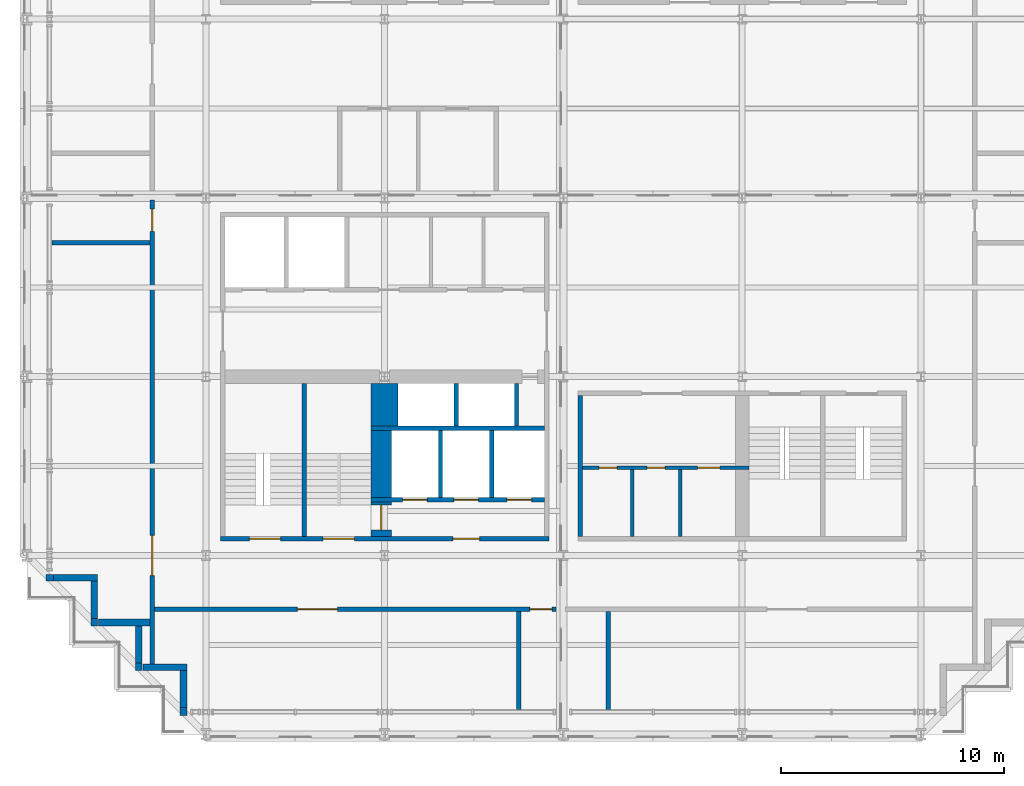
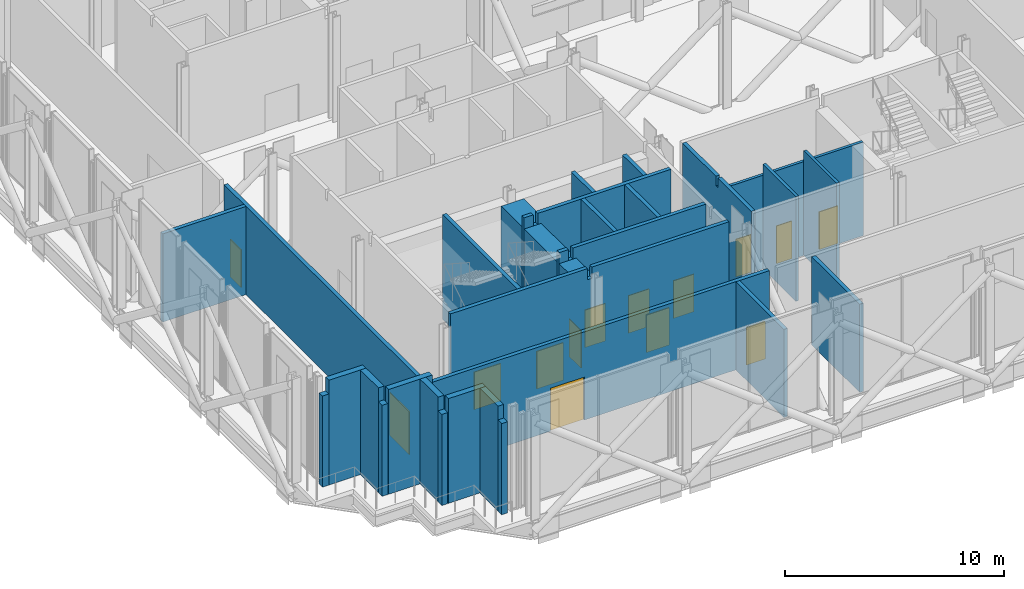
# One storey, part 17 of 25: 30 walls, 14 doors, 14 openings.
"""IFC4 building model written with IfcOpenShell, lengths in metres."""

import ifcopenshell
import ifcopenshell.guid

model = None  # the IFC model being written
_history = None  # IfcOwnerHistory: only IFC2X3 demands one
_inside = {}  # id of a spatial element -> (the spatial element, [elements in it])
_under = {}  # id of a project, library or spatial element -> (it, [spatial elements below it])
_declared = {}  # id of a project -> (the project, [libraries it declares])
_typed = {}  # id of a type object -> (the type object, [elements of that type])
_made_of = {}  # id of a material, layer set ... -> (it, [elements and type objects made of it])


def new_model(schema):
    """Start an empty IFC model of exactly this schema.

    Asked for "IFC4X3", IfcOpenShell would pick the latest addendum, in which some entities
    have other attributes; the version numbers below select the first issue.
    IFC2X3 requires an IfcOwnerHistory on every rooted entity: one is made here for all.
    """
    global model, _history
    if schema == "IFC4X3":
        model = ifcopenshell.file(schema_version=(4, 3, 0, 0))
    else:
        model = ifcopenshell.file(schema=schema)
    _inside.clear()
    _under.clear()
    _declared.clear()
    _typed.clear()
    _made_of.clear()
    _history = None
    if model.schema == "IFC2X3":
        org = make("IfcOrganization", Name="unknown")
        user = make(
            "IfcPersonAndOrganization",
            ThePerson=make("IfcPerson", FamilyName="unknown"),
            TheOrganization=org,
        )
        app = make(
            "IfcApplication",
            ApplicationDeveloper=org,
            Version="unknown",
            ApplicationFullName="unknown",
            ApplicationIdentifier="unknown",
        )
        _history = make(
            "IfcOwnerHistory",
            OwningUser=user,
            OwningApplication=app,
            ChangeAction="ADDED",
            CreationDate=0,
        )
    return model


def make(cls, **values):
    """One entity of the class cls with the attributes given. An attribute that is None is left unset."""
    return model.create_entity(
        cls, **{name: value for name, value in values.items() if value is not None}
    )


def rooted(cls, **values):
    """An entity with a GlobalId (a new one), such as an element, a storey or a relation."""
    return make(cls, GlobalId=ifcopenshell.guid.new(), OwnerHistory=_history, **values)


def si_unit(unit_type, name, prefix=None):
    """IfcSIUnit, for example si_unit("LENGTHUNIT", "METRE", prefix="MILLI")."""
    return make("IfcSIUnit", UnitType=unit_type, Prefix=prefix, Name=name)


def assignment(units):
    """IfcUnitAssignment: the units of a project."""
    return None if units is None else make("IfcUnitAssignment", Units=units)


def point(xyz):
    """IfcCartesianPoint."""
    return None if xyz is None else make("IfcCartesianPoint", Coordinates=xyz)


def direction(xyz):
    """IfcDirection."""
    return None if xyz is None else make("IfcDirection", DirectionRatios=xyz)


def frame(location, z_axis=None, x_axis=None):
    """IfcAxis2Placement3D, a coordinate frame: its origin and axes. An axis left out is left unset."""
    return make(
        "IfcAxis2Placement3D",
        Location=point(location),
        Axis=direction(z_axis),
        RefDirection=direction(x_axis),
    )


def frame_2d(location, x_axis=None):
    """IfcAxis2Placement2D, a coordinate frame in the plane: its origin and x axis."""
    return make(
        "IfcAxis2Placement2D", Location=point(location), RefDirection=direction(x_axis)
    )


def origin():
    """The frame at (0, 0, 0) with its axes left unset."""
    return frame((0.0, 0.0, 0.0))


def place(relative_to, where):
    """IfcLocalPlacement: puts the frame where relative to a parent placement (None: the world)."""
    return make(
        "IfcLocalPlacement", PlacementRelTo=relative_to, RelativePlacement=where
    )


def context(
    kind, dimensions, precision=None, world=None, true_north=None, identifier=None
):
    """IfcGeometricRepresentationContext, for example the 3D "Model" context."""
    return make(
        "IfcGeometricRepresentationContext",
        ContextIdentifier=identifier,
        ContextType=kind,
        CoordinateSpaceDimension=dimensions,
        Precision=precision,
        WorldCoordinateSystem=world,
        TrueNorth=true_north,
    )


def subcontext(parent, identifier, kind, view, scale=None):
    """IfcGeometricRepresentationSubContext, for example "Body" below "Model"."""
    return make(
        "IfcGeometricRepresentationSubContext",
        ContextIdentifier=identifier,
        ContextType=kind,
        ParentContext=parent,
        TargetScale=scale,
        TargetView=view,
    )


def project(units=None, contexts=None):
    """IfcProject with its units and contexts."""
    return rooted(
        "IfcProject",
        Name="project",
        RepresentationContexts=contexts,
        UnitsInContext=assignment(units),
    )


def spatial(cls, under=None, at=None, **own):
    """A site, building, storey or space (cls), placed at a placement, below another one or the project."""
    s = rooted(cls, ObjectPlacement=at, **own)
    if under is not None:
        _under.setdefault(under.id(), (under, []))[1].append(s)
    return s


def polyline(points):
    """IfcPolyline through the points."""
    return make("IfcPolyline", Points=[point(p) for p in points])


def profile(cls, at=None, kind="AREA", **sizes):
    """A parametric profile (cls). Its sizes go by their IFC names, for example OverallWidth=200.0."""
    return make(cls, ProfileType=kind, Position=at, **sizes)


def rectangle(**sizes):
    """IfcRectangleProfileDef."""
    return profile("IfcRectangleProfileDef", **sizes)


def outline(outer, holes=None, kind="AREA"):
    """IfcArbitraryClosedProfileDef: a profile drawn as a closed curve; with holes, ...WithVoids."""
    if holes is None:
        return make("IfcArbitraryClosedProfileDef", ProfileType=kind, OuterCurve=outer)
    return make(
        "IfcArbitraryProfileDefWithVoids",
        ProfileType=kind,
        OuterCurve=outer,
        InnerCurves=holes,
    )


def extrude(swept, where, along, depth):
    """IfcExtrudedAreaSolid: the profile swept, set in the frame where, extruded along a direction by depth."""
    return make(
        "IfcExtrudedAreaSolid",
        SweptArea=swept,
        Position=where,
        ExtrudedDirection=direction(along),
        Depth=depth,
    )


def shape(context_of_items, identifier, shape_type, items):
    """IfcShapeRepresentation: the items that make up one representation, for example the "Body"."""
    return make(
        "IfcShapeRepresentation",
        ContextOfItems=context_of_items,
        RepresentationIdentifier=identifier,
        RepresentationType=shape_type,
        Items=items,
    )


def material(Name=None, Category=None):
    """IfcMaterial."""
    return make("IfcMaterial", Name=Name, Category=Category)


def layer(
    of_material, thickness, ventilated=None, Name=None, Category=None, Priority=None
):
    """IfcMaterialLayer: one layer of a wall or slab, of a material (None: an air gap)."""
    return make(
        "IfcMaterialLayer",
        Material=of_material,
        LayerThickness=thickness,
        IsVentilated=ventilated,
        Name=Name,
        Category=Category,
        Priority=Priority,
    )


def layer_set(layers, Name=None):
    """IfcMaterialLayerSet."""
    return make("IfcMaterialLayerSet", MaterialLayers=layers, LayerSetName=Name)


def made_of(thing, what):
    """Note that an element or type object is made of a material, layer set ...; save() writes the relation."""
    if what is not None:
        _made_of.setdefault(what.id(), (what, []))[1].append(thing)
    return thing


def type_object(cls, material=None, **own):
    """A type object (cls), such as IfcWallType, which elements share."""
    return made_of(rooted(cls, **own), material)


def element(
    cls,
    number,
    at=None,
    inside=None,
    cuts=None,
    type_object=None,
    material=None,
    context=None,
    identifier="Body",
    shape_type=None,
    held_by="IfcProductDefinitionShape",
    body=None,
    shapes=None,
    **own,
):
    """One element of the class cls, such as IfcWall. Its Tag is "e" and its number.

    at: its placement. inside: the storey or other place that contains it. cuts: it is an
    opening in that element (IfcRelVoidsElement). A single representation is given by context,
    identifier, shape_type and body (its items); several are given by shapes. held_by: the class
    of the entity that holds the representations. save() writes the other relations.
    """
    e = rooted(cls, Tag="e%d" % number, ObjectPlacement=at, **own)
    if body is not None:
        shapes = [shape(context, identifier, shape_type, body)]
    if shapes is not None:
        e.Representation = make(held_by, Representations=shapes)
    if inside is not None:
        _inside.setdefault(inside.id(), (inside, []))[1].append(e)
    if cuts is not None:
        rooted(
            "IfcRelVoidsElement", RelatingBuildingElement=cuts, RelatedOpeningElement=e
        )
    if type_object is not None:
        _typed.setdefault(type_object.id(), (type_object, []))[1].append(e)
    return made_of(e, material)


def fill(opening, filler):
    """IfcRelFillsElement: the door or window that sits in an opening."""
    return rooted(
        "IfcRelFillsElement",
        RelatingOpeningElement=opening,
        RelatedBuildingElement=filler,
    )


def aggregate(whole, parts):
    """IfcRelAggregates: a whole, such as a stair, and the parts it consists of."""
    return rooted("IfcRelAggregates", RelatingObject=whole, RelatedObjects=parts)


def save(model, path):
    """Write the relations noted so far, then the file.

    IfcRelAggregates (storeys below a building ...), IfcRelContainedInSpatialStructure (elements
    in a storey), IfcRelDefinesByType, IfcRelAssociatesMaterial and IfcRelDeclares: one each for
    every whole, place, type object, material and project.
    """
    for whole, parts in _under.values():
        aggregate(whole, parts)
    for where, things in _inside.values():
        rooted(
            "IfcRelContainedInSpatialStructure",
            RelatedElements=things,
            RelatingStructure=where,
        )
    for kind, things in _typed.values():
        rooted("IfcRelDefinesByType", RelatedObjects=things, RelatingType=kind)
    for what, things in _made_of.values():
        rooted("IfcRelAssociatesMaterial", RelatedObjects=things, RelatingMaterial=what)
    for by, libraries in _declared.values():
        rooted("IfcRelDeclares", RelatingContext=by, RelatedDefinitions=libraries)
    model.write(path)


model = new_model("IFC4")

# Units and contexts
model_context = context("Model", 3, precision=1e-05, world=origin(), true_north=direction((0.0, 1.0)))
body_context = subcontext(model_context, "Body", "Model", "MODEL_VIEW")
ifc_project = project(units=[si_unit("LENGTHUNIT", "METRE"), si_unit("AREAUNIT", "SQUARE_METRE"), si_unit("VOLUMEUNIT", "CUBIC_METRE"), si_unit("PLANEANGLEUNIT", "RADIAN"), si_unit("MASSUNIT", "GRAM", prefix="KILO")], contexts=[model_context])

# Site, building, storey
site_placement = place(None, origin())
site = spatial("IfcSite", under=ifc_project, at=site_placement, CompositionType="ELEMENT")
building_placement = place(site_placement, origin())
building = spatial("IfcBuilding", under=site, at=building_placement, Name="Immortelle Media Tower", CompositionType="ELEMENT")
storey_placement = place(building_placement, frame((0.0, 0.0, 114.0)))
storey = spatial("IfcBuildingStorey", under=building, at=storey_placement, Name="L22", CompositionType="ELEMENT", Elevation=114.0)

# Wall, openings, doors
ifc_material_1 = material(Name="Fire-rated gypsum board", Category="gypsum")
ifc_layer_1 = layer(ifc_material_1, 0.02490234375)
ifc_material_2 = material(Name="Steel ASTM A653 SS Gr 50 stud frame with mineral wool", Category="steel")
ifc_layer_2 = layer(ifc_material_2, 0.10009765625)
ifc_layer_3 = layer(ifc_material_1, 0.02490234375)
ifc_layer_set_1 = layer_set([ifc_layer_1, ifc_layer_2, ifc_layer_3], Name="Steel ASTM A653 SS Gr 50 stud frame with mineral wool")
wall_type_1 = type_object("IfcWallType", Name="Core partition 150", PredefinedType="PARTITIONING", material=ifc_layer_set_1)
wall_1_placement = place(storey_placement, frame((24.85009765625, 11.925048828125, 0.0), z_axis=(0.0, 0.0, 1.0), x_axis=(1.0, 0.0, 0.0)))
wall_1 = element("IfcWall", 1, at=wall_1_placement, inside=storey, type_object=wall_type_1, Name="Core partition SE", PredefinedType="PARTITIONING", context=body_context, shape_type="SweptSolid", body=[
    extrude(rectangle(XDim=7.449951171875, YDim=0.14990234375, at=frame_2d((3.72509765625, 0.0))), origin(), (0.0, 0.0, 1.0), 5.23193359375),
])
opening_1_placement = place(wall_1_placement, frame((1.550048828125, 0.0, 0.0), z_axis=(0.0, 0.0, 1.0), x_axis=(-1.0, 0.0, 0.0)))
opening_1 = element("IfcOpeningElement", 2, at=opening_1_placement, cuts=wall_1, Name="Opening L22-K016", PredefinedType="OPENING", context=body_context, shape_type="SweptSolid", body=[
    extrude(rectangle(XDim=0.800048828125, YDim=2.10009765625, at=frame_2d((0.39990234375, 1.050048828125))), frame((0.0, 0.0849609375, 0.0), z_axis=(0.0, -1.0, 0.0), x_axis=(1.0, 0.0, 0.0)), (0.0, 0.0, 1.0), 0.169921875),
])
opening_2_placement = place(wall_1_placement, frame((3.699951171875, 0.0, 0.0), z_axis=(0.0, 0.0, 1.0), x_axis=(-1.0, 0.0, 0.0)))
opening_2 = element("IfcOpeningElement", 3, at=opening_2_placement, cuts=wall_1, Name="Opening L22-K017", PredefinedType="OPENING", context=body_context, shape_type="SweptSolid", body=[
    extrude(rectangle(XDim=0.800048828125, YDim=2.10009765625, at=frame_2d((0.39990234375, 1.050048828125))), frame((0.0, 0.0849609375, 0.0), z_axis=(0.0, -1.0, 0.0), x_axis=(1.0, 0.0, 0.0)), (0.0, 0.0, 1.0), 0.169921875),
])
opening_3_placement = place(wall_1_placement, frame((6.14990234375, 0.0, 0.0), z_axis=(0.0, 0.0, 1.0), x_axis=(-1.0, 0.0, 0.0)))
opening_3 = element("IfcOpeningElement", 4, at=opening_3_placement, cuts=wall_1, Name="Opening L22-K019", PredefinedType="OPENING", context=body_context, shape_type="SweptSolid", body=[
    extrude(rectangle(XDim=1.0, YDim=2.10009765625, at=frame_2d((0.5, 1.050048828125))), frame((0.0, 0.0849609375, 0.0), z_axis=(0.0, -1.0, 0.0), x_axis=(1.0, 0.0, 0.0)), (0.0, 0.0, 1.0), 0.169921875),
])
ifc_material_3 = material(Name="Timber", Category="wood")
door_type_1 = type_object("IfcDoorType", Name="Accessible toilet door 1000 x 2100", OperationType="NOTDEFINED", PredefinedType="NOTDEFINED", material=ifc_material_3)
door_1_placement = place(opening_3_placement, origin())
door_1 = element("IfcDoor", 5, at=door_1_placement, inside=storey, type_object=door_type_1, Name="Accessible toilet L22-K019", OperationType="SINGLE_SWING_RIGHT", OverallHeight=2.10009765625, OverallWidth=1.0, PredefinedType="NOTDEFINED", context=body_context, shape_type="SweptSolid", body=[
    extrude(rectangle(XDim=1.0, YDim=2.10009765625, at=frame_2d((0.5, 1.050048828125))), frame((0.0, 0.02490234375, 0.0), z_axis=(0.0, -1.0, 0.0), x_axis=(1.0, 0.0, 0.0)), (0.0, 0.0, 1.0), 0.050048828125),
])
fill(opening_3, door_1)
door_type_2 = type_object("IfcDoorType", Name="Toilet door 800 x 2100", OperationType="NOTDEFINED", PredefinedType="NOTDEFINED", material=ifc_material_3)
door_2_placement = place(opening_1_placement, origin())
door_2 = element("IfcDoor", 6, at=door_2_placement, inside=storey, type_object=door_type_2, Name="Toilet L22-K016", OperationType="SINGLE_SWING_LEFT", OverallHeight=2.10009765625, OverallWidth=0.800048828125, PredefinedType="NOTDEFINED", context=body_context, shape_type="SweptSolid", body=[
    extrude(rectangle(XDim=0.800048828125, YDim=2.10009765625, at=frame_2d((0.39990234375, 1.050048828125))), frame((0.0, 0.02490234375, 0.0), z_axis=(0.0, -1.0, 0.0), x_axis=(1.0, 0.0, 0.0)), (0.0, 0.0, 1.0), 0.050048828125),
])
fill(opening_1, door_2)
door_3_placement = place(opening_2_placement, origin())
door_3 = element("IfcDoor", 7, at=door_3_placement, inside=storey, type_object=door_type_2, Name="Toilet L22-K017", OperationType="SINGLE_SWING_LEFT", OverallHeight=2.10009765625, OverallWidth=0.800048828125, PredefinedType="NOTDEFINED", context=body_context, shape_type="SweptSolid", body=[
    extrude(rectangle(XDim=0.800048828125, YDim=2.10009765625, at=frame_2d((0.39990234375, 1.050048828125))), frame((0.0, 0.02490234375, 0.0), z_axis=(0.0, -1.0, 0.0), x_axis=(1.0, 0.0, 0.0)), (0.0, 0.0, 1.0), 0.050048828125),
])
fill(opening_2, door_3)

# Walls
for number, where, z_axis, x_axis, name in (
    (8, (27.074951171875, 8.85009765625, 0.0), (0.0, 0.0, 1.0), (0.0, 1.0, 0.0), "Core partition SE"),
    (9, (29.22509765625, 8.85009765625, 0.0), (0.0, 0.0, 1.0), (0.0, 1.0, 0.0), "Core partition SE"),
):
    element("IfcWall", number, at=place(storey_placement, frame(where, z_axis=z_axis, x_axis=x_axis)), inside=storey, type_object=wall_type_1, Name=name, PredefinedType="PARTITIONING", context=body_context, shape_type="SweptSolid", body=[
        extrude(rectangle(XDim=3.0, YDim=0.14990234375, at=frame_2d((1.5, 0.0))), origin(), (0.0, 0.0, 1.0), 5.85009765625),
    ])

# Wall, openings, doors
ifc_layer_4 = layer(ifc_material_1, 0.03759765625)
ifc_layer_5 = layer(ifc_material_2, 0.125)
ifc_layer_6 = layer(ifc_material_1, 0.03759765625)
ifc_layer_set_2 = layer_set([ifc_layer_4, ifc_layer_5, ifc_layer_6], Name="Steel ASTM A653 SS Gr 50 stud frame with mineral wool")
wall_type_2 = type_object("IfcWallType", Name="Core shaft wall 200", PredefinedType="PARTITIONING", material=ifc_layer_set_2)
wall_2_placement = place(storey_placement, frame((15.39990234375, 10.5, 0.0), z_axis=(0.0, 0.0, 1.0), x_axis=(1.0, 0.0, 0.0)))
wall_2 = element("IfcWall", 10, at=wall_2_placement, inside=storey, type_object=wall_type_2, Name="Core shaft wall SW", PredefinedType="PARTITIONING", context=body_context, shape_type="SweptSolid", body=[
    extrude(outline(polyline([(0.0, 0.0), (7.75, 0.0), (7.75, 5.85009765625), (0.719482421875, 5.85009765625), (0.718505859375, 5.23193359375), (0.4814453125, 5.23193359375), (0.48046875, 5.85009765625), (0.0, 5.85009765625), (0.0, 0.0)])), frame((0.0, 0.10009765625, 0.0), z_axis=(0.0, -1.0, 0.0), x_axis=(1.0, 0.0, 0.0)), (0.0, 0.0, 1.0), 0.199951171875),
])
opening_4_placement = place(wall_2_placement, frame((1.39990234375, 0.0, 0.0)))
opening_4 = element("IfcOpeningElement", 11, at=opening_4_placement, cuts=wall_2, Name="Opening LD", PredefinedType="OPENING", context=body_context, shape_type="SweptSolid", body=[
    extrude(rectangle(XDim=1.10009765625, YDim=2.10009765625, at=frame_2d((0.550048828125, 1.050048828125))), frame((0.0, 0.10986328125, 0.0), z_axis=(0.0, -1.0, 0.0), x_axis=(1.0, 0.0, 0.0)), (0.0, 0.0, 1.0), 0.219970703125),
])
opening_5_placement = place(wall_2_placement, frame((3.699951171875, 0.0, 0.0)))
opening_5 = element("IfcOpeningElement", 12, at=opening_5_placement, cuts=wall_2, Name="Opening LD", PredefinedType="OPENING", context=body_context, shape_type="SweptSolid", body=[
    extrude(rectangle(XDim=1.10009765625, YDim=2.10009765625, at=frame_2d((0.550048828125, 1.050048828125))), frame((0.0, 0.10986328125, 0.0), z_axis=(0.0, -1.0, 0.0), x_axis=(1.0, 0.0, 0.0)), (0.0, 0.0, 1.0), 0.219970703125),
])
opening_6_placement = place(wall_2_placement, frame((6.074951171875, 0.0, 0.0)))
opening_6 = element("IfcOpeningElement", 13, at=opening_6_placement, cuts=wall_2, Name="Opening LD", PredefinedType="OPENING", context=body_context, shape_type="SweptSolid", body=[
    extrude(rectangle(XDim=1.10009765625, YDim=2.10009765625, at=frame_2d((0.550048828125, 1.050048828125))), frame((0.0, 0.10986328125, 0.0), z_axis=(0.0, -1.0, 0.0), x_axis=(1.0, 0.0, 0.0)), (0.0, 0.0, 1.0), 0.219970703125),
])
ifc_material_4 = material(Name="Stainless steel AISI 304", Category="steel")
door_type_3 = type_object("IfcDoorType", Name="Landing door 1100 x 2100", OperationType="SLIDING_TO_LEFT", PredefinedType="NOTDEFINED", material=ifc_material_4)
door_4_placement = place(opening_4_placement, origin())
door_4 = element("IfcDoor", 14, at=door_4_placement, inside=storey, type_object=door_type_3, Name="Landing door FF1 L22", OperationType="SLIDING_TO_LEFT", OverallHeight=2.10009765625, OverallWidth=1.10009765625, PredefinedType="NOTDEFINED", context=body_context, shape_type="SweptSolid", body=[
    extrude(rectangle(XDim=1.10009765625, YDim=2.10009765625, at=frame_2d((0.550048828125, 1.050048828125))), frame((0.0, 0.02490234375, 0.0), z_axis=(0.0, -1.0, 0.0), x_axis=(1.0, 0.0, 0.0)), (0.0, 0.0, 1.0), 0.050048828125),
])
fill(opening_4, door_4)
door_5_placement = place(opening_5_placement, origin())
door_5 = element("IfcDoor", 15, at=door_5_placement, inside=storey, type_object=door_type_3, Name="Landing door FF2 L22", OperationType="SLIDING_TO_LEFT", OverallHeight=2.10009765625, OverallWidth=1.10009765625, PredefinedType="NOTDEFINED", context=body_context, shape_type="SweptSolid", body=[
    extrude(rectangle(XDim=1.10009765625, YDim=2.10009765625, at=frame_2d((0.550048828125, 1.050048828125))), frame((0.0, 0.02490234375, 0.0), z_axis=(0.0, -1.0, 0.0), x_axis=(1.0, 0.0, 0.0)), (0.0, 0.0, 1.0), 0.050048828125),
])
fill(opening_5, door_5)
door_6_placement = place(opening_6_placement, origin())
door_6 = element("IfcDoor", 16, at=door_6_placement, inside=storey, type_object=door_type_3, Name="Landing door FF3 L22", OperationType="SLIDING_TO_LEFT", OverallHeight=2.10009765625, OverallWidth=1.10009765625, PredefinedType="NOTDEFINED", context=body_context, shape_type="SweptSolid", body=[
    extrude(rectangle(XDim=1.10009765625, YDim=2.10009765625, at=frame_2d((0.550048828125, 1.050048828125))), frame((0.0, 0.02490234375, 0.0), z_axis=(0.0, -1.0, 0.0), x_axis=(1.0, 0.0, 0.0)), (0.0, 0.0, 1.0), 0.050048828125),
])
fill(opening_6, door_6)

# Walls
wall_3_placement = place(storey_placement, frame((15.39990234375, 13.699951171875, 0.0), z_axis=(0.0, 0.0, 1.0), x_axis=(1.0, 0.0, 0.0)))
element("IfcWall", 17, at=wall_3_placement, inside=storey, type_object=wall_type_2, Name="Core shaft wall SW", PredefinedType="PARTITIONING", context=body_context, shape_type="SweptSolid", body=[
    extrude(outline(polyline([(0.0, 0.0), (7.75, 0.0), (7.75, 5.85009765625), (0.719482421875, 5.85009765625), (0.718505859375, 5.23193359375), (0.4814453125, 5.23193359375), (0.48046875, 5.85009765625), (0.0, 5.85009765625), (0.0, 0.0)])), frame((0.0, 0.10009765625, 0.0), z_axis=(0.0, -1.0, 0.0), x_axis=(1.0, 0.0, 0.0)), (0.0, 0.0, 1.0), 0.199951171875),
])
wall_4_placement = place(storey_placement, frame((18.5, 10.60009765625, 0.0), z_axis=(0.0, 0.0, 1.0), x_axis=(0.0, 1.0, 0.0)))
element("IfcWall", 18, at=wall_4_placement, inside=storey, type_object=wall_type_2, Name="Core shaft wall SW", PredefinedType="PARTITIONING", context=body_context, shape_type="SweptSolid", body=[
    extrude(rectangle(XDim=3.0, YDim=0.199951171875, at=frame_2d((1.5, 0.0))), origin(), (0.0, 0.0, 1.0), 5.85009765625),
])
wall_5_placement = place(storey_placement, frame((19.199951171875, 13.800048828125, 0.0), z_axis=(0.0, 0.0, 1.0), x_axis=(0.0, 1.0, 0.0)))
element("IfcWall", 19, at=wall_5_placement, inside=storey, type_object=wall_type_2, Name="Core shaft wall SW", PredefinedType="PARTITIONING", context=body_context, shape_type="SweptSolid", body=[
    extrude(rectangle(XDim=1.89990234375, YDim=0.199951171875, at=frame_2d((0.949951171875, 0.0))), origin(), (0.0, 0.0, 1.0), 5.85009765625),
])
wall_6_placement = place(storey_placement, frame((20.800048828125, 10.60009765625, 0.0), z_axis=(0.0, 0.0, 1.0), x_axis=(0.0, 1.0, 0.0)))
element("IfcWall", 20, at=wall_6_placement, inside=storey, type_object=wall_type_2, Name="Core shaft wall SW", PredefinedType="PARTITIONING", context=body_context, shape_type="SweptSolid", body=[
    extrude(rectangle(XDim=3.0, YDim=0.199951171875, at=frame_2d((1.5, 0.0))), origin(), (0.0, 0.0, 1.0), 5.85009765625),
])
wall_7_placement = place(storey_placement, frame((21.89990234375, 13.800048828125, 0.0), z_axis=(0.0, 0.0, 1.0), x_axis=(0.0, 1.0, 0.0)))
element("IfcWall", 21, at=wall_7_placement, inside=storey, type_object=wall_type_2, Name="Core shaft wall SW", PredefinedType="PARTITIONING", context=body_context, shape_type="SweptSolid", body=[
    extrude(rectangle(XDim=1.89990234375, YDim=0.199951171875, at=frame_2d((0.949951171875, 0.0))), origin(), (0.0, 0.0, 1.0), 5.85009765625),
])
wall_8_placement = place(storey_placement, frame((24.75, 8.85009765625, 0.0), z_axis=(0.0, 0.0, 1.0), x_axis=(0.0, 1.0, 0.0)))
element("IfcWall", 22, at=wall_8_placement, inside=storey, type_object=wall_type_2, Name="Core shaft wall SE", PredefinedType="PARTITIONING", context=body_context, shape_type="SweptSolid", body=[
    extrude(outline(polyline([(0.0, 0.0), (6.2998046875, 0.0), (6.300048828125, 5.85009765625), (3.237548828125, 5.85009765625), (3.236572265625, 5.318115234375), (3.0634765625, 5.318115234375), (3.0625, 5.85009765625), (0.0, 5.85009765625), (0.0, 0.0)])), frame((0.0, 0.10009765625, 0.0), z_axis=(0.0, -1.0, 0.0), x_axis=(1.0, 0.0, 0.0)), (0.0, 0.0, 1.0), 0.199951171875),
])
ifc_layer_7 = layer(ifc_material_1, 0.03759765625)
ifc_layer_8 = layer(ifc_material_2, 0.125)
ifc_layer_9 = layer(ifc_material_1, 0.03759765625)
ifc_layer_set_3 = layer_set([ifc_layer_7, ifc_layer_8, ifc_layer_9], Name="Steel ASTM A653 SS Gr 50 stud frame with mineral wool")
wall_type_3 = type_object("IfcWallType", Name="Fire-resisting wall 200", PredefinedType="PARTITIONING", material=ifc_layer_set_3)
wall_9_placement = place(storey_placement, frame((1.10498046875, 22.0, 0.0), z_axis=(0.0, 0.0, 1.0), x_axis=(1.0, 0.0, 0.0)))
element("IfcWall", 23, at=wall_9_placement, inside=storey, type_object=wall_type_3, Name="Fire-resisting wall L22-1", PredefinedType="PARTITIONING", context=body_context, shape_type="SweptSolid", body=[
    extrude(rectangle(XDim=4.39501953125, YDim=0.199951171875, at=frame_2d((2.197509765625, 0.0))), origin(), (0.0, 0.0, 1.0), 4.923095703125),
])

# Wall, openings, doors
wall_10_placement = place(storey_placement, frame((5.60009765625, 3.14990234375, 0.0), z_axis=(0.0, 0.0, 1.0), x_axis=(0.0, 1.0, 0.0)))
wall_10 = element("IfcWall", 24, at=wall_10_placement, inside=storey, type_object=wall_type_3, Name="Fire-resisting wall L22-3A", PredefinedType="PARTITIONING", context=body_context, shape_type="SweptSolid", body=[
    extrude(rectangle(XDim=20.755126953125, YDim=0.199951171875, at=frame_2d((10.37744140625, 0.0))), origin(), (0.0, 0.0, 1.0), 4.923095703125),
])
opening_7_placement = place(wall_10_placement, frame((3.949951171875, 0.0, 0.0)))
opening_7 = element("IfcOpeningElement", 25, at=opening_7_placement, cuts=wall_10, Name="Opening L22-X01", PredefinedType="OPENING", context=body_context, shape_type="SweptSolid", body=[
    extrude(rectangle(XDim=1.800048828125, YDim=2.39990234375, at=frame_2d((0.89990234375, 1.199951171875))), frame((0.0, 0.10986328125, 0.0), z_axis=(0.0, -1.0, 0.0), x_axis=(1.0, 0.0, 0.0)), (0.0, 0.0, 1.0), 0.219970703125),
])
opening_8_placement = place(wall_10_placement, frame((20.35009765625, 0.0, 0.0), z_axis=(0.0, 0.0, 1.0), x_axis=(-1.0, 0.0, 0.0)))
opening_8 = element("IfcOpeningElement", 26, at=opening_8_placement, cuts=wall_10, Name="Opening L22-X02", PredefinedType="OPENING", context=body_context, shape_type="SweptSolid", body=[
    extrude(rectangle(XDim=1.0, YDim=2.10009765625, at=frame_2d((0.5, 1.050048828125))), frame((0.0, 0.10986328125, 0.0), z_axis=(0.0, -1.0, 0.0), x_axis=(1.0, 0.0, 0.0)), (0.0, 0.0, 1.0), 0.219970703125),
])
ifc_material_5 = material(Name="Galvanised steel door leaf and frame ASTM A653", Category="steel")
door_type_4 = type_object("IfcDoorType", Name="Fire door 1000 x 2100", OperationType="NOTDEFINED", PredefinedType="DOOR", material=ifc_material_5)
door_7_placement = place(opening_8_placement, origin())
door_7 = element("IfcDoor", 27, at=door_7_placement, inside=storey, type_object=door_type_4, Name="Door L22-X02", OperationType="SINGLE_SWING_RIGHT", OverallHeight=2.10009765625, OverallWidth=1.0, PredefinedType="DOOR", context=body_context, shape_type="SweptSolid", body=[
    extrude(rectangle(XDim=1.0, YDim=2.10009765625, at=frame_2d((0.5, 1.050048828125))), frame((0.0, 0.02490234375, 0.0), z_axis=(0.0, -1.0, 0.0), x_axis=(1.0, 0.0, 0.0)), (0.0, 0.0, 1.0), 0.050048828125),
])
fill(opening_8, door_7)
door_type_5 = type_object("IfcDoorType", Name="Fire double door 1800 x 2400", OperationType="DOUBLE_DOOR_SINGLE_SWING", PredefinedType="DOOR", material=ifc_material_5)
door_8_placement = place(opening_7_placement, origin())
door_8 = element("IfcDoor", 28, at=door_8_placement, inside=storey, type_object=door_type_5, Name="Door L22-X01", OperationType="DOUBLE_DOOR_SINGLE_SWING", OverallHeight=2.39990234375, OverallWidth=1.800048828125, PredefinedType="DOOR", context=body_context, shape_type="SweptSolid", body=[
    extrude(rectangle(XDim=1.800048828125, YDim=2.39990234375, at=frame_2d((0.89990234375, 1.199951171875))), frame((0.0, 0.02490234375, 0.0), z_axis=(0.0, -1.0, 0.0), x_axis=(1.0, 0.0, 0.0)), (0.0, 0.0, 1.0), 0.050048828125),
])
fill(opening_7, door_8)

wall_11_placement = place(storey_placement, frame((5.699951171875, 5.60009765625, 0.0), z_axis=(0.0, 0.0, 1.0), x_axis=(1.0, 0.0, 0.0)))
wall_11 = element("IfcWall", 29, at=wall_11_placement, inside=storey, type_object=wall_type_3, Name="Fire-resisting wall L22-4A", PredefinedType="PARTITIONING", context=body_context, shape_type="SweptSolid", body=[
    extrude(rectangle(XDim=17.97900390625, YDim=0.199951171875, at=frame_2d((8.989501953125, 0.0))), origin(), (0.0, 0.0, 1.0), 4.923095703125),
])
opening_9_placement = place(wall_11_placement, frame((6.39990234375, 0.0, 0.0)))
opening_9 = element("IfcOpeningElement", 30, at=opening_9_placement, cuts=wall_11, Name="Opening L22-X04", PredefinedType="OPENING", context=body_context, shape_type="SweptSolid", body=[
    extrude(rectangle(XDim=1.800048828125, YDim=2.39990234375, at=frame_2d((0.89990234375, 1.199951171875))), frame((0.0, 0.10986328125, 0.0), z_axis=(0.0, -1.0, 0.0), x_axis=(1.0, 0.0, 0.0)), (0.0, 0.0, 1.0), 0.219970703125),
])
opening_10_placement = place(wall_11_placement, frame((16.800048828125, 0.0, 0.0)))
opening_10 = element("IfcOpeningElement", 31, at=opening_10_placement, cuts=wall_11, Name="Opening L22-X05", PredefinedType="OPENING", context=body_context, shape_type="SweptSolid", body=[
    extrude(rectangle(XDim=1.0, YDim=2.10009765625, at=frame_2d((0.5, 1.050048828125))), frame((0.0, 0.10986328125, 0.0), z_axis=(0.0, -1.0, 0.0), x_axis=(1.0, 0.0, 0.0)), (0.0, 0.0, 1.0), 0.219970703125),
])
door_9_placement = place(opening_10_placement, origin())
door_9 = element("IfcDoor", 32, at=door_9_placement, inside=storey, type_object=door_type_4, Name="Door L22-X05", OperationType="SINGLE_SWING_LEFT", OverallHeight=2.10009765625, OverallWidth=1.0, PredefinedType="DOOR", context=body_context, shape_type="SweptSolid", body=[
    extrude(rectangle(XDim=1.0, YDim=2.10009765625, at=frame_2d((0.5, 1.050048828125))), frame((0.0, 0.02490234375, 0.0), z_axis=(0.0, -1.0, 0.0), x_axis=(1.0, 0.0, 0.0)), (0.0, 0.0, 1.0), 0.050048828125),
])
fill(opening_10, door_9)
door_10_placement = place(opening_9_placement, origin())
door_10 = element("IfcDoor", 33, at=door_10_placement, inside=storey, type_object=door_type_5, Name="Door L22-X04", OperationType="DOUBLE_DOOR_SINGLE_SWING", OverallHeight=2.39990234375, OverallWidth=1.800048828125, PredefinedType="DOOR", context=body_context, shape_type="SweptSolid", body=[
    extrude(rectangle(XDim=1.800048828125, YDim=2.39990234375, at=frame_2d((0.89990234375, 1.199951171875))), frame((0.0, 0.02490234375, 0.0), z_axis=(0.0, -1.0, 0.0), x_axis=(1.0, 0.0, 0.0)), (0.0, 0.0, 1.0), 0.050048828125),
])
fill(opening_9, door_10)

# Walls
for number, where, z_axis, x_axis, name in (
    (34, (22.0, 1.10498046875, 0.0), (0.0, 0.0, 1.0), (0.0, 1.0, 0.0), "Fire-resisting wall L22-10"),
    (35, (26.0, 1.10498046875, 0.0), (0.0, 0.0, 1.0), (0.0, 1.0, 0.0), "Fire-resisting wall L22-13"),
):
    element("IfcWall", number, at=place(storey_placement, frame(where, z_axis=z_axis, x_axis=x_axis)), inside=storey, type_object=wall_type_3, Name=name, PredefinedType="PARTITIONING", context=body_context, shape_type="SweptSolid", body=[
        extrude(rectangle(XDim=4.39501953125, YDim=0.199951171875, at=frame_2d((2.197509765625, 0.0))), origin(), (0.0, 0.0, 1.0), 4.923095703125),
    ])
ifc_material_6 = material(Name="Pale aluminium cladding panel", Category="aluminium")
ifc_layer_10 = layer(ifc_material_6, 0.030029296875)
ifc_layer_11 = layer(ifc_material_2, 0.257568359375)
ifc_material_7 = material(Name="Moisture-resistant gypsum board", Category="gypsum")
ifc_layer_12 = layer(ifc_material_7, 0.012451171875)
ifc_layer_set_4 = layer_set([ifc_layer_10, ifc_layer_11, ifc_layer_12], Name="Steel ASTM A653 SS Gr 50 stud frame with mineral wool")
wall_type_4 = type_object("IfcWallType", Name="Pale metal clad wall 300", PredefinedType="STANDARD", material=ifc_layer_set_4)
wall_12_placement = place(storey_placement, frame((0.85009765625, 7.0, 0.0), z_axis=(0.0, 0.0, 1.0), x_axis=(1.0, 0.0, 0.0)))
element("IfcWall", 36, at=wall_12_placement, inside=storey, type_object=wall_type_4, Name="Plant corner wall L22 S 1-1", PredefinedType="STANDARD", context=body_context, shape_type="SweptSolid", body=[
    extrude(rectangle(XDim=0.338623046875, YDim=0.300048828125, at=frame_2d((0.16943359375, 0.0))), origin(), (0.0, 0.0, 1.0), 5.08740234375),
])
wall_13_placement = place(storey_placement, frame((1.188720703125, 7.0, 0.0), z_axis=(0.0, 0.0, 1.0), x_axis=(1.0, 0.0, 0.0)))
element("IfcWall", 37, at=wall_13_placement, inside=storey, type_object=wall_type_4, Name="Plant corner wall L22 S 1-2", PredefinedType="STANDARD", context=body_context, shape_type="SweptSolid", body=[
    extrude(rectangle(XDim=1.961181640625, YDim=0.300048828125, at=frame_2d((0.98046875, 0.0))), origin(), (0.0, 0.0, 1.0), 5.849609375),
])
wall_14_placement = place(storey_placement, frame((3.0, 6.85009765625, 0.0), z_axis=(0.0, 0.0, 1.0), x_axis=(0.0, -1.0, 0.0)))
element("IfcWall", 38, at=wall_14_placement, inside=storey, type_object=wall_type_4, Name="Plant corner wall L22 W 2-1", PredefinedType="STANDARD", context=body_context, shape_type="SweptSolid", body=[
    extrude(rectangle(XDim=1.661376953125, YDim=0.300048828125, at=frame_2d((0.83056640625, 0.0))), origin(), (0.0, 0.0, 1.0), 5.849609375),
])
wall_15_placement = place(storey_placement, frame((3.0, 5.188720703125, 0.0), z_axis=(0.0, 0.0, 1.0), x_axis=(0.0, -1.0, 0.0)))
element("IfcWall", 39, at=wall_15_placement, inside=storey, type_object=wall_type_4, Name="Plant corner wall L22 W 2-2", PredefinedType="STANDARD", context=body_context, shape_type="SweptSolid", body=[
    extrude(rectangle(XDim=0.338623046875, YDim=0.300048828125, at=frame_2d((0.16943359375, 0.0))), origin(), (0.0, 0.0, 1.0), 5.08740234375),
])
wall_16_placement = place(storey_placement, frame((3.188720703125, 5.0, 0.0), z_axis=(0.0, 0.0, 1.0), x_axis=(1.0, 0.0, 0.0)))
element("IfcWall", 40, at=wall_16_placement, inside=storey, type_object=wall_type_4, Name="Plant corner wall L22 S 3-2", PredefinedType="STANDARD", context=body_context, shape_type="SweptSolid", body=[
    extrude(rectangle(XDim=2.311279296875, YDim=0.300048828125, at=frame_2d((1.15576171875, 0.0))), origin(), (0.0, 0.0, 1.0), 5.849609375),
])
wall_17_placement = place(storey_placement, frame((5.0, 4.85009765625, 0.0), z_axis=(0.0, 0.0, 1.0), x_axis=(0.0, -1.0, 0.0)))
element("IfcWall", 41, at=wall_17_placement, inside=storey, type_object=wall_type_4, Name="Plant corner wall L22 W 4-1", PredefinedType="STANDARD", context=body_context, shape_type="SweptSolid", body=[
    extrude(rectangle(XDim=1.661376953125, YDim=0.300048828125, at=frame_2d((0.83056640625, 0.0))), origin(), (0.0, 0.0, 1.0), 5.849609375),
])
wall_18_placement = place(storey_placement, frame((5.0, 3.188720703125, 0.0), z_axis=(0.0, 0.0, 1.0), x_axis=(0.0, -1.0, 0.0)))
element("IfcWall", 42, at=wall_18_placement, inside=storey, type_object=wall_type_4, Name="Plant corner wall L22 W 4-2", PredefinedType="STANDARD", context=body_context, shape_type="SweptSolid", body=[
    extrude(rectangle(XDim=0.338623046875, YDim=0.300048828125, at=frame_2d((0.16943359375, 0.0))), origin(), (0.0, 0.0, 1.0), 5.08740234375),
])
wall_19_placement = place(storey_placement, frame((5.188720703125, 3.0, 0.0), z_axis=(0.0, 0.0, 1.0), x_axis=(1.0, 0.0, 0.0)))
element("IfcWall", 43, at=wall_19_placement, inside=storey, type_object=wall_type_4, Name="Plant corner wall L22 S 5-2", PredefinedType="STANDARD", context=body_context, shape_type="SweptSolid", body=[
    extrude(rectangle(XDim=1.961181640625, YDim=0.300048828125, at=frame_2d((0.98046875, 0.0))), origin(), (0.0, 0.0, 1.0), 5.849609375),
])
wall_20_placement = place(storey_placement, frame((7.0, 2.85009765625, 0.0), z_axis=(0.0, 0.0, 1.0), x_axis=(0.0, -1.0, 0.0)))
element("IfcWall", 44, at=wall_20_placement, inside=storey, type_object=wall_type_4, Name="Plant corner wall L22 W 6-1", PredefinedType="STANDARD", context=body_context, shape_type="SweptSolid", body=[
    extrude(rectangle(XDim=1.661376953125, YDim=0.300048828125, at=frame_2d((0.83056640625, 0.0))), origin(), (0.0, 0.0, 1.0), 5.849609375),
])
wall_21_placement = place(storey_placement, frame((7.0, 1.188720703125, 0.0), z_axis=(0.0, 0.0, 1.0), x_axis=(0.0, -1.0, 0.0)))
element("IfcWall", 45, at=wall_21_placement, inside=storey, type_object=wall_type_4, Name="Plant corner wall L22 W 6-2", PredefinedType="STANDARD", context=body_context, shape_type="SweptSolid", body=[
    extrude(rectangle(XDim=0.338623046875, YDim=0.300048828125, at=frame_2d((0.16943359375, 0.0))), origin(), (0.0, 0.0, 1.0), 5.08740234375),
])
ifc_material_8 = material(Name="Concrete C60", Category="concrete")
ifc_layer_13 = layer(ifc_material_8, 1.199951171875)
ifc_layer_set_5 = layer_set([ifc_layer_13], Name="Concrete C60")
wall_type_5 = type_object("IfcWallType", Name="Stair shaft wall 1200", PredefinedType="PARTITIONING", material=ifc_layer_set_5)
wall_22_placement = place(storey_placement, frame((16.0, 13.800048828125, 0.0), z_axis=(0.0, 0.0, 1.0), x_axis=(0.0, 1.0, 0.0)))
element("IfcWall", 46, at=wall_22_placement, inside=storey, type_object=wall_type_5, Name="Stair shaft wall SW", PredefinedType="PARTITIONING", context=body_context, shape_type="SweptSolid", body=[
    extrude(rectangle(XDim=1.89990234375, YDim=1.199951171875, at=frame_2d((0.949951171875, 0.0))), origin(), (0.0, 0.0, 1.0), 5.23193359375),
])

# Wall, openings, doors
ifc_layer_14 = layer(ifc_material_8, 0.199951171875)
ifc_layer_set_6 = layer_set([ifc_layer_14], Name="Concrete C60")
wall_type_6 = type_object("IfcWallType", Name="Stair shaft wall 200", PredefinedType="PARTITIONING", material=ifc_layer_set_6)
wall_23_placement = place(storey_placement, frame((8.64990234375, 8.75, 0.0), z_axis=(0.0, 0.0, 1.0), x_axis=(1.0, 0.0, 0.0)))
wall_23 = element("IfcWall", 47, at=wall_23_placement, inside=storey, type_object=wall_type_6, Name="Stair shaft wall SW", PredefinedType="PARTITIONING", context=body_context, shape_type="SweptSolid", body=[
    extrude(outline(polyline([(0.0, 0.0), (14.7001953125, 0.0), (14.699951171875, 5.85009765625), (7.469482421875, 5.85009765625), (7.468505859375, 5.23193359375), (7.2314453125, 5.23193359375), (7.23046875, 5.85009765625), (0.0, 5.85009765625), (0.0, 0.0)])), frame((0.0, 0.10009765625, 0.0), z_axis=(0.0, -1.0, 0.0), x_axis=(1.0, 0.0, 0.0)), (0.0, 0.0, 1.0), 0.199951171875),
])
opening_11_placement = place(wall_23_placement, frame((1.300048828125, 0.0, 0.0)))
opening_11 = element("IfcOpeningElement", 48, at=opening_11_placement, cuts=wall_23, Name="Opening L22-K003", PredefinedType="OPENING", context=body_context, shape_type="SweptSolid", body=[
    extrude(rectangle(XDim=1.39990234375, YDim=2.10009765625, at=frame_2d((0.699951171875, 1.050048828125))), frame((0.0, 0.10986328125, 0.0), z_axis=(0.0, -1.0, 0.0), x_axis=(1.0, 0.0, 0.0)), (0.0, 0.0, 1.0), 0.219970703125),
])
opening_12_placement = place(wall_23_placement, frame((4.60009765625, 0.0, 0.0)))
opening_12 = element("IfcOpeningElement", 49, at=opening_12_placement, cuts=wall_23, Name="Opening L22-K005", PredefinedType="OPENING", context=body_context, shape_type="SweptSolid", body=[
    extrude(rectangle(XDim=1.39990234375, YDim=2.10009765625, at=frame_2d((0.699951171875, 1.050048828125))), frame((0.0, 0.10986328125, 0.0), z_axis=(0.0, -1.0, 0.0), x_axis=(1.0, 0.0, 0.0)), (0.0, 0.0, 1.0), 0.219970703125),
])
opening_13_placement = place(wall_23_placement, frame((10.39990234375, 0.0, 0.0)))
opening_13 = element("IfcOpeningElement", 50, at=opening_13_placement, cuts=wall_23, Name="Opening L22-K010", PredefinedType="OPENING", context=body_context, shape_type="SweptSolid", body=[
    extrude(rectangle(XDim=1.199951171875, YDim=2.10009765625, at=frame_2d((0.60009765625, 1.050048828125))), frame((0.0, 0.10986328125, 0.0), z_axis=(0.0, -1.0, 0.0), x_axis=(1.0, 0.0, 0.0)), (0.0, 0.0, 1.0), 0.219970703125),
])
door_type_6 = type_object("IfcDoorType", Name="Fire-fighting lobby door 1200 x 2100", OperationType="NOTDEFINED", PredefinedType="NOTDEFINED", material=ifc_material_5)
door_11_placement = place(opening_13_placement, origin())
door_11 = element("IfcDoor", 51, at=door_11_placement, inside=storey, type_object=door_type_6, Name="Fire-fighting lobby L22-K010", OperationType="SINGLE_SWING_RIGHT", OverallHeight=2.10009765625, OverallWidth=1.199951171875, PredefinedType="NOTDEFINED", context=body_context, shape_type="SweptSolid", body=[
    extrude(rectangle(XDim=1.199951171875, YDim=2.10009765625, at=frame_2d((0.60009765625, 1.050048828125))), frame((0.0, 0.02490234375, 0.0), z_axis=(0.0, -1.0, 0.0), x_axis=(1.0, 0.0, 0.0)), (0.0, 0.0, 1.0), 0.050048828125),
])
fill(opening_13, door_11)
door_type_7 = type_object("IfcDoorType", Name="Stair door 1400 x 2100", OperationType="DOUBLE_DOOR_SINGLE_SWING", PredefinedType="NOTDEFINED", material=ifc_material_5)
door_12_placement = place(opening_11_placement, origin())
door_12 = element("IfcDoor", 52, at=door_12_placement, inside=storey, type_object=door_type_7, Name="Stair L22-K003", OperationType="DOUBLE_DOOR_SINGLE_SWING", OverallHeight=2.10009765625, OverallWidth=1.39990234375, PredefinedType="NOTDEFINED", context=body_context, shape_type="SweptSolid", body=[
    extrude(rectangle(XDim=1.39990234375, YDim=2.10009765625, at=frame_2d((0.699951171875, 1.050048828125))), frame((0.0, 0.02490234375, 0.0), z_axis=(0.0, -1.0, 0.0), x_axis=(1.0, 0.0, 0.0)), (0.0, 0.0, 1.0), 0.050048828125),
])
fill(opening_11, door_12)
door_13_placement = place(opening_12_placement, origin())
door_13 = element("IfcDoor", 53, at=door_13_placement, inside=storey, type_object=door_type_7, Name="Stair L22-K005", OperationType="DOUBLE_DOOR_SINGLE_SWING", OverallHeight=2.10009765625, OverallWidth=1.39990234375, PredefinedType="NOTDEFINED", context=body_context, shape_type="SweptSolid", body=[
    extrude(rectangle(XDim=1.39990234375, YDim=2.10009765625, at=frame_2d((0.699951171875, 1.050048828125))), frame((0.0, 0.02490234375, 0.0), z_axis=(0.0, -1.0, 0.0), x_axis=(1.0, 0.0, 0.0)), (0.0, 0.0, 1.0), 0.050048828125),
])
fill(opening_12, door_13)

# Wall
wall_24_placement = place(storey_placement, frame((12.39990234375, 8.85009765625, 0.0), z_axis=(0.0, 0.0, 1.0), x_axis=(0.0, 1.0, 0.0)))
element("IfcWall", 54, at=wall_24_placement, inside=storey, type_object=wall_type_6, Name="Stair shaft wall SW", PredefinedType="PARTITIONING", context=body_context, shape_type="SweptSolid", body=[
    extrude(rectangle(XDim=6.849853515625, YDim=0.199951171875, at=frame_2d((3.4248046875, 0.0))), origin(), (0.0, 0.0, 1.0), 5.85009765625),
])

# Wall, opening, door
ifc_layer_15 = layer(ifc_material_8, 0.89990234375)
ifc_layer_set_7 = layer_set([ifc_layer_15], Name="Concrete C60")
wall_type_7 = type_object("IfcWallType", Name="Stair shaft wall 900", PredefinedType="PARTITIONING", material=ifc_layer_set_7)
wall_25_placement = place(storey_placement, frame((15.85009765625, 8.85009765625, 0.0), z_axis=(0.0, 0.0, 1.0), x_axis=(0.0, 1.0, 0.0)))
wall_25 = element("IfcWall", 55, at=wall_25_placement, inside=storey, type_object=wall_type_7, Name="Stair shaft wall SW", PredefinedType="PARTITIONING", context=body_context, shape_type="SweptSolid", body=[
    extrude(rectangle(XDim=1.5498046875, YDim=0.89990234375, at=frame_2d((0.77490234375, 0.0))), origin(), (0.0, 0.0, 1.0), 5.23193359375),
])
opening_14_placement = place(wall_25_placement, frame((0.300048828125, 0.0, 0.0)))
opening_14 = element("IfcOpeningElement", 56, at=opening_14_placement, cuts=wall_25, Name="Opening L22-K006", PredefinedType="OPENING", context=body_context, shape_type="SweptSolid", body=[
    extrude(rectangle(XDim=1.10009765625, YDim=2.10009765625, at=frame_2d((0.550048828125, 1.050048828125))), frame((0.0, 0.4599609375, 0.0), z_axis=(0.0, -1.0, 0.0), x_axis=(1.0, 0.0, 0.0)), (0.0, 0.0, 1.0), 0.919921875),
])
door_type_8 = type_object("IfcDoorType", Name="Stair lobby door 1100 x 2100", OperationType="NOTDEFINED", PredefinedType="NOTDEFINED", material=ifc_material_5)
door_14_placement = place(opening_14_placement, origin())
door_14 = element("IfcDoor", 57, at=door_14_placement, inside=storey, type_object=door_type_8, Name="Stair lobby L22-K006", OperationType="SINGLE_SWING_LEFT", OverallHeight=2.10009765625, OverallWidth=1.10009765625, PredefinedType="NOTDEFINED", context=body_context, shape_type="SweptSolid", body=[
    extrude(rectangle(XDim=1.10009765625, YDim=2.10009765625, at=frame_2d((0.550048828125, 1.050048828125))), frame((0.0, 0.02490234375, 0.0), z_axis=(0.0, -1.0, 0.0), x_axis=(1.0, 0.0, 0.0)), (0.0, 0.0, 1.0), 0.050048828125),
])
fill(opening_14, door_14)

# Wall
wall_26_placement = place(storey_placement, frame((15.85009765625, 10.60009765625, 0.0), z_axis=(0.0, 0.0, 1.0), x_axis=(0.0, 1.0, 0.0)))
element("IfcWall", 58, at=wall_26_placement, inside=storey, type_object=wall_type_7, Name="Stair shaft wall SW", PredefinedType="PARTITIONING", context=body_context, shape_type="SweptSolid", body=[
    extrude(rectangle(XDim=3.0, YDim=0.89990234375, at=frame_2d((1.5, 0.0))), origin(), (0.0, 0.0, 1.0), 5.23193359375),
])

save(model, "model.ifc")
